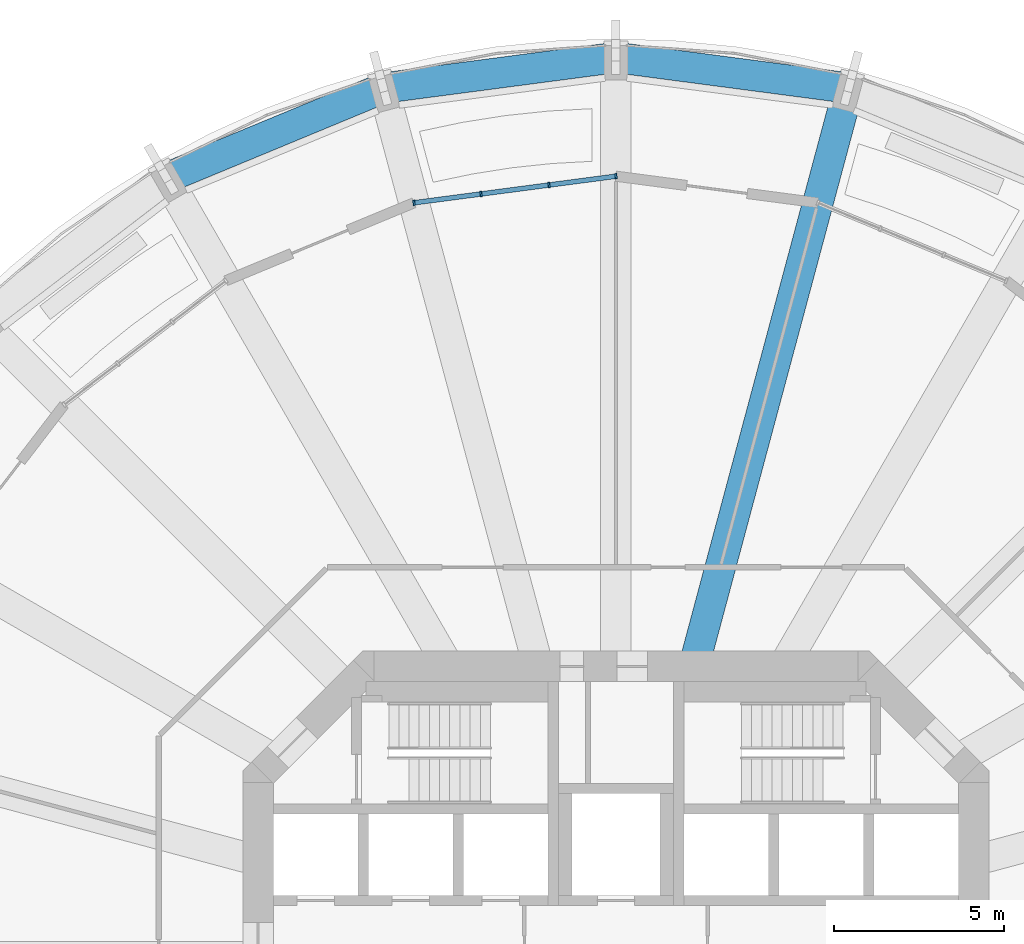
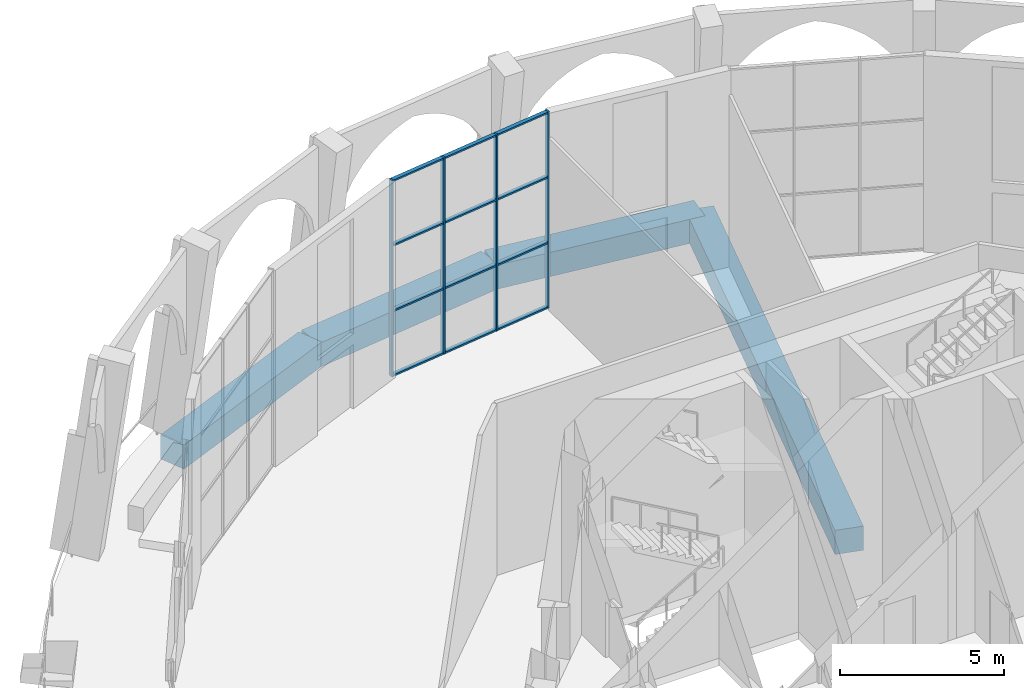
# One storey, part 8 of 19: 16 members, 4 beams, 1 element without a shape of its own.
"""IFC4 building model written with IfcOpenShell, lengths in metres."""

from ifc_helpers import new_model, si_unit, direction, frame, origin, origin_2d, place, context, subcontext, project, spatial, rectangle, extrude, material, material_profile, profile_set, type_object, element, aggregate, save


model = new_model("IFC4")

# Units and contexts
model_context = context("Model", 3, precision=1e-05, world=origin(), true_north=direction((0.0, 1.0)))
body_context = subcontext(model_context, "Body", "Model", "MODEL_VIEW")
ifc_project = project(units=[si_unit("LENGTHUNIT", "METRE"), si_unit("AREAUNIT", "SQUARE_METRE"), si_unit("VOLUMEUNIT", "CUBIC_METRE"), si_unit("PLANEANGLEUNIT", "RADIAN"), si_unit("MASSUNIT", "GRAM", prefix="KILO")], contexts=[model_context])

# Site, building, storey
site_placement = place(None, origin())
site = spatial("IfcSite", under=ifc_project, at=site_placement, CompositionType="ELEMENT")
building_placement = place(site_placement, origin())
building = spatial("IfcBuilding", under=site, at=building_placement, Name="Torre Triforio", CompositionType="ELEMENT")
storey_placement = place(building_placement, frame((0.0, 0.0, 79.0)))
storey = spatial("IfcBuildingStorey", under=building, at=storey_placement, Name="L17", CompositionType="ELEMENT", Elevation=79.0)

# Curtain wall, members
ifc_material_1 = material(Name="Aluminium mullion and transom frame with clear laminated glass", Category="aluminium")
curtain_wall_type = type_object("IfcCurtainWallType", Name="Sky garden conservatory wall ECW3", PredefinedType="NOTDEFINED", material=ifc_material_1)
curtain_wall_placement = place(storey_placement, origin())
curtain_wall = element("IfcCurtainWall", 1, at=curtain_wall_placement, inside=storey, type_object=curtain_wall_type, Name="Conservatory wall L17 bay 07", PredefinedType="NOTDEFINED")
ifc_material_2 = material(Name="Anodised aluminium extrusion", Category="aluminium")
ifc_material_profile_1 = material_profile(ifc_material_2, rectangle(XDim=0.159912109375, YDim=0.06005859375, at=origin_2d()), Name="ECW3 MULLION 60x160")
ifc_profile_set_1 = profile_set([ifc_material_profile_1], Name="Anodised aluminium extrusion")
member_type_1 = type_object("IfcMemberType", Name="ECW3 mullion 60 x 160", PredefinedType="MULLION", material=ifc_profile_set_1)
member_1_placement = place(storey_placement, frame((0.0, 23.0, 0.0), z_axis=(0.0, 0.0, 1.0), x_axis=(0.130520630599, -0.991445593559, 0.0)))
member_1 = element("IfcMember", 2, at=member_1_placement, type_object=member_type_1, Name="ECW3 mullion 1", PredefinedType="MULLION", context=body_context, shape_type="SweptSolid", body=[
    extrude(rectangle(XDim=0.159912109375, YDim=0.06005859375, at=origin_2d()), origin(), (0.0, 0.0, 1.0), 7.320068359375),
])
member_2_placement = place(storey_placement, frame((-1.974365234375, 22.739990234375, 0.0), z_axis=(0.0, 0.0, 1.0), x_axis=(0.130520630599, -0.991445593559, 0.0)))
member_2 = element("IfcMember", 3, at=member_2_placement, type_object=member_type_1, Name="ECW3 mullion 2", PredefinedType="MULLION", context=body_context, shape_type="SweptSolid", body=[
    extrude(rectangle(XDim=0.159912109375, YDim=0.06005859375, at=origin_2d()), origin(), (0.0, 0.0, 1.0), 7.320068359375),
])
member_3_placement = place(storey_placement, frame((-3.978515625, 22.476318359375, 0.0), z_axis=(0.0, 0.0, 1.0), x_axis=(0.130520630599, -0.991445593559, 0.0)))
member_3 = element("IfcMember", 4, at=member_3_placement, type_object=member_type_1, Name="ECW3 mullion 3", PredefinedType="MULLION", context=body_context, shape_type="SweptSolid", body=[
    extrude(rectangle(XDim=0.159912109375, YDim=0.06005859375, at=origin_2d()), origin(), (0.0, 0.0, 1.0), 7.320068359375),
])
member_4_placement = place(storey_placement, frame((-5.952880859375, 22.21630859375, 0.0), z_axis=(0.0, 0.0, 1.0), x_axis=(0.130520630599, -0.991445593559, 0.0)))
member_4 = element("IfcMember", 5, at=member_4_placement, type_object=member_type_1, Name="ECW3 mullion 4", PredefinedType="MULLION", context=body_context, shape_type="SweptSolid", body=[
    extrude(rectangle(XDim=0.159912109375, YDim=0.06005859375, at=origin_2d()), origin(), (0.0, 0.0, 1.0), 7.320068359375),
])
ifc_material_profile_2 = material_profile(ifc_material_2, rectangle(XDim=0.139892578125, YDim=0.06005859375, at=origin_2d()), Name="ECW3 TRANSOM 60x140")
ifc_profile_set_2 = profile_set([ifc_material_profile_2], Name="Anodised aluminium extrusion")
member_type_2 = type_object("IfcMemberType", Name="ECW3 transom 60 x 140", PredefinedType="USERDEFINED", material=ifc_profile_set_2)
member_5_placement = place(storey_placement, frame((-0.02978515625, 22.99609375, 0.030029296875), z_axis=(-0.991437507186, -0.130582040663, 0.0), x_axis=(0.130582040663, -0.991437507186, 0.0)))
member_5 = element("IfcMember", 6, at=member_5_placement, type_object=member_type_2, Name="ECW3 transom 1.1", ObjectType="TRANSOM", PredefinedType="USERDEFINED", context=body_context, shape_type="SweptSolid", body=[
    extrude(rectangle(XDim=0.139892578125, YDim=0.06005859375, at=origin_2d()), origin(), (0.0, 0.0, 1.0), 1.931396484375),
])
member_6_placement = place(storey_placement, frame((-0.02978515625, 22.99609375, 2.43994140625), z_axis=(-0.991437507186, -0.130582040663, 0.0), x_axis=(0.130582040663, -0.991437507186, 0.0)))
member_6 = element("IfcMember", 7, at=member_6_placement, type_object=member_type_2, Name="ECW3 transom 1.2", ObjectType="TRANSOM", PredefinedType="USERDEFINED", context=body_context, shape_type="SweptSolid", body=[
    extrude(rectangle(XDim=0.139892578125, YDim=0.06005859375, at=origin_2d()), origin(), (0.0, 0.0, 1.0), 1.931396484375),
])
member_7_placement = place(storey_placement, frame((-0.02978515625, 22.99609375, 4.8798828125), z_axis=(-0.991437507186, -0.130582040663, 0.0), x_axis=(0.130582040663, -0.991437507186, 0.0)))
member_7 = element("IfcMember", 8, at=member_7_placement, type_object=member_type_2, Name="ECW3 transom 1.3", ObjectType="TRANSOM", PredefinedType="USERDEFINED", context=body_context, shape_type="SweptSolid", body=[
    extrude(rectangle(XDim=0.139892578125, YDim=0.06005859375, at=origin_2d()), origin(), (0.0, 0.0, 1.0), 1.931396484375),
])
member_8_placement = place(storey_placement, frame((-0.02978515625, 22.99609375, 7.2900390625), z_axis=(-0.991437507186, -0.130582040663, 0.0), x_axis=(0.130582040663, -0.991437507186, 0.0)))
member_8 = element("IfcMember", 9, at=member_8_placement, type_object=member_type_2, Name="ECW3 transom 1.4", ObjectType="TRANSOM", PredefinedType="USERDEFINED", context=body_context, shape_type="SweptSolid", body=[
    extrude(rectangle(XDim=0.139892578125, YDim=0.06005859375, at=origin_2d()), origin(), (0.0, 0.0, 1.0), 1.931396484375),
])
member_9_placement = place(storey_placement, frame((-2.004150390625, 22.736083984375, 0.030029296875), z_axis=(-0.991454719215, -0.130451292622, 0.0), x_axis=(0.130451292622, -0.991454719215, 0.0)))
member_9 = element("IfcMember", 10, at=member_9_placement, type_object=member_type_2, Name="ECW3 transom 2.1", ObjectType="TRANSOM", PredefinedType="USERDEFINED", context=body_context, shape_type="SweptSolid", body=[
    extrude(rectangle(XDim=0.139892578125, YDim=0.06005859375, at=origin_2d()), origin(), (0.0, 0.0, 1.0), 1.96142578125),
])
member_10_placement = place(storey_placement, frame((-2.004150390625, 22.736083984375, 2.43994140625), z_axis=(-0.991454719215, -0.130451292622, 0.0), x_axis=(0.130451292622, -0.991454719215, 0.0)))
member_10 = element("IfcMember", 11, at=member_10_placement, type_object=member_type_2, Name="ECW3 transom 2.2", ObjectType="TRANSOM", PredefinedType="USERDEFINED", context=body_context, shape_type="SweptSolid", body=[
    extrude(rectangle(XDim=0.139892578125, YDim=0.06005859375, at=origin_2d()), origin(), (0.0, 0.0, 1.0), 1.96142578125),
])
member_11_placement = place(storey_placement, frame((-2.004150390625, 22.736083984375, 4.8798828125), z_axis=(-0.991454719215, -0.130451292622, 0.0), x_axis=(0.130451292622, -0.991454719215, 0.0)))
member_11 = element("IfcMember", 12, at=member_11_placement, type_object=member_type_2, Name="ECW3 transom 2.3", ObjectType="TRANSOM", PredefinedType="USERDEFINED", context=body_context, shape_type="SweptSolid", body=[
    extrude(rectangle(XDim=0.139892578125, YDim=0.06005859375, at=origin_2d()), origin(), (0.0, 0.0, 1.0), 1.96142578125),
])
member_12_placement = place(storey_placement, frame((-2.004150390625, 22.736083984375, 7.2900390625), z_axis=(-0.991454719215, -0.130451292622, 0.0), x_axis=(0.130451292622, -0.991454719215, 0.0)))
member_12 = element("IfcMember", 13, at=member_12_placement, type_object=member_type_2, Name="ECW3 transom 2.4", ObjectType="TRANSOM", PredefinedType="USERDEFINED", context=body_context, shape_type="SweptSolid", body=[
    extrude(rectangle(XDim=0.139892578125, YDim=0.06005859375, at=origin_2d()), origin(), (0.0, 0.0, 1.0), 1.96142578125),
])
member_13_placement = place(storey_placement, frame((-4.00830078125, 22.472412109375, 0.030029296875), z_axis=(-0.991437507186, -0.130582040663, 0.0), x_axis=(0.130582040663, -0.991437507186, 0.0)))
member_13 = element("IfcMember", 14, at=member_13_placement, type_object=member_type_2, Name="ECW3 transom 3.1", ObjectType="TRANSOM", PredefinedType="USERDEFINED", context=body_context, shape_type="SweptSolid", body=[
    extrude(rectangle(XDim=0.139892578125, YDim=0.06005859375, at=origin_2d()), origin(), (0.0, 0.0, 1.0), 1.931396484375),
])
member_14_placement = place(storey_placement, frame((-4.00830078125, 22.472412109375, 2.43994140625), z_axis=(-0.991437507186, -0.130582040663, 0.0), x_axis=(0.130582040663, -0.991437507186, 0.0)))
member_14 = element("IfcMember", 15, at=member_14_placement, type_object=member_type_2, Name="ECW3 transom 3.2", ObjectType="TRANSOM", PredefinedType="USERDEFINED", context=body_context, shape_type="SweptSolid", body=[
    extrude(rectangle(XDim=0.139892578125, YDim=0.06005859375, at=origin_2d()), origin(), (0.0, 0.0, 1.0), 1.931396484375),
])
member_15_placement = place(storey_placement, frame((-4.00830078125, 22.472412109375, 4.8798828125), z_axis=(-0.991437507186, -0.130582040663, 0.0), x_axis=(0.130582040663, -0.991437507186, 0.0)))
member_15 = element("IfcMember", 16, at=member_15_placement, type_object=member_type_2, Name="ECW3 transom 3.3", ObjectType="TRANSOM", PredefinedType="USERDEFINED", context=body_context, shape_type="SweptSolid", body=[
    extrude(rectangle(XDim=0.139892578125, YDim=0.06005859375, at=origin_2d()), origin(), (0.0, 0.0, 1.0), 1.931396484375),
])
member_16_placement = place(storey_placement, frame((-4.00830078125, 22.472412109375, 7.2900390625), z_axis=(-0.991437507186, -0.130582040663, 0.0), x_axis=(0.130582040663, -0.991437507186, 0.0)))
member_16 = element("IfcMember", 17, at=member_16_placement, type_object=member_type_2, Name="ECW3 transom 3.4", ObjectType="TRANSOM", PredefinedType="USERDEFINED", context=body_context, shape_type="SweptSolid", body=[
    extrude(rectangle(XDim=0.139892578125, YDim=0.06005859375, at=origin_2d()), origin(), (0.0, 0.0, 1.0), 1.931396484375),
])
aggregate(curtain_wall, [member_1, member_2, member_3, member_4, member_5, member_6, member_7, member_8, member_9, member_10, member_11, member_12, member_13, member_14, member_15, member_16])

# Beams
ifc_material_3 = material(Name="Concrete C50", Category="concrete")
ifc_material_profile_3 = material_profile(ifc_material_3, rectangle(XDim=0.89990234375, YDim=0.89990234375, at=origin_2d()), Name="RC 900x900")
ifc_profile_set_3 = profile_set([ifc_material_profile_3], Name="Concrete C50")
beam_type_1 = type_object("IfcBeamType", Name="Radial beam RC 900x900 C50", PredefinedType="BEAM", material=ifc_profile_set_3)
beam_1_placement = place(storey_placement, frame((2.291015625, 8.550048828125, -0.72998046875), z_axis=(0.258815374176, 0.965926809903, 0.0), x_axis=(-0.965926809903, 0.258815374176, 0.0)))
element("IfcBeam", 18, at=beam_1_placement, inside=storey, type_object=beam_type_1, Name="BM.R.L17.05", PredefinedType="BEAM", context=body_context, shape_type="SweptSolid", body=[
    extrude(rectangle(XDim=0.89990234375, YDim=0.89990234375, at=origin_2d()), origin(), (0.0, 0.0, 1.0), 17.648193359375),
])
ifc_material_profile_4 = material_profile(ifc_material_3, rectangle(XDim=0.89990234375, YDim=0.89990234375, at=origin_2d()), Name="RC 900x900")
ifc_profile_set_4 = profile_set([ifc_material_profile_4], Name="Concrete C50")
beam_type_2 = type_object("IfcBeamType", Name="Spandrel beam RC 900x900 C50", PredefinedType="SPANDREL", material=ifc_profile_set_4)
for number, where, z_axis, x_axis, name in (
    (19, (6.858642578125, 25.596923828125, -0.72998046875), (-0.991442639885, 0.130543064996, 0.0), (-0.130543064996, -0.991442639885, 0.0), "BM.S.L17.05"),
    (20, (0.0, 26.5, -0.72998046875), (-0.991442639885, -0.130543064996, 0.0), (0.130543064996, -0.991442639885, 0.0), "BM.S.L17.06"),
):
    element("IfcBeam", number, at=place(storey_placement, frame(where, z_axis=z_axis, x_axis=x_axis)), inside=storey, type_object=beam_type_2, Name=name, PredefinedType="SPANDREL", context=body_context, shape_type="SweptSolid", body=[
        extrude(rectangle(XDim=0.89990234375, YDim=0.89990234375, at=origin_2d()), origin(), (0.0, 0.0, 1.0), 6.917724609375),
    ])
beam_2_placement = place(storey_placement, frame((-6.858642578125, 25.596923828125, -0.72998046875), z_axis=(-0.923888227087, -0.382662441128, 0.0), x_axis=(0.382662441128, -0.923888227087, 0.0)))
element("IfcBeam", 21, at=beam_2_placement, inside=storey, type_object=beam_type_2, Name="BM.S.L17.07", PredefinedType="SPANDREL", context=body_context, shape_type="SweptSolid", body=[
    extrude(rectangle(XDim=0.89990234375, YDim=0.89990234375, at=origin_2d()), origin(), (0.0, 0.0, 1.0), 6.91796875),
])

save(model, "model.ifc")
